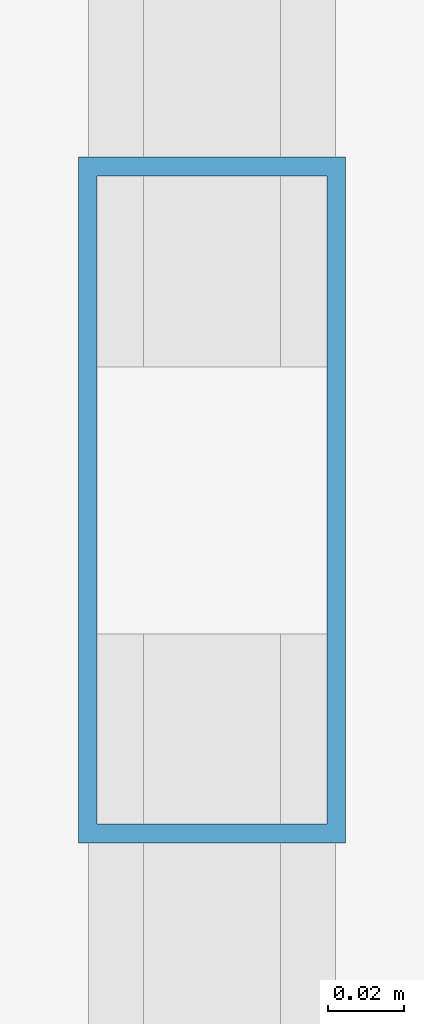
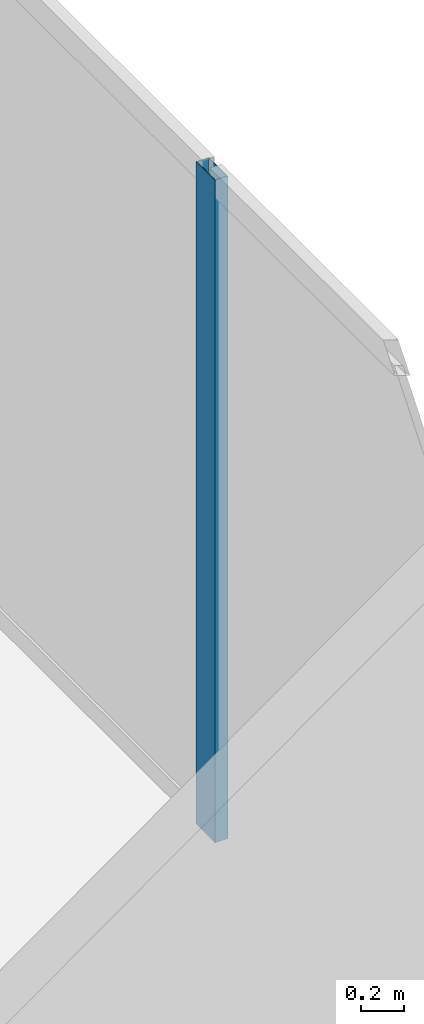
# One storey, part 24 of 33: 1 member, 1 element without a shape of its own.
"""IFC4 building model written with IfcOpenShell, lengths in metres."""

from ifc_helpers import new_model, si_unit, direction, frame, origin, origin_2d, place, context, subcontext, project, spatial, hollow_rectangle, extrude, source, transform, mapped, material, layer, layer_set, material_profile, profile_set, type_object, type_shapes, element, aggregate, save


model = new_model("IFC4")

# Units and contexts
model_context = context("Model", 3, precision=1e-05, world=origin(), true_north=direction((0.0, 1.0)))
body_context = subcontext(model_context, "Body", "Model", "MODEL_VIEW")
ifc_project = project(units=[si_unit("LENGTHUNIT", "METRE"), si_unit("AREAUNIT", "SQUARE_METRE"), si_unit("VOLUMEUNIT", "CUBIC_METRE"), si_unit("PLANEANGLEUNIT", "RADIAN"), si_unit("MASSUNIT", "GRAM", prefix="KILO")], contexts=[model_context])

# Site, building, storey
site_placement = place(None, origin())
site = spatial("IfcSite", under=ifc_project, at=site_placement, CompositionType="ELEMENT")
building_placement = place(site_placement, origin())
building = spatial("IfcBuilding", under=site, at=building_placement, Name="Haelvirn Gate Laboratories", CompositionType="ELEMENT")
storey_placement = place(building_placement, frame((0.0, 0.0, 238.300048828125)))
storey = spatial("IfcBuildingStorey", under=building, at=storey_placement, Name="L57", CompositionType="ELEMENT", Elevation=238.300048828125)

# Curtain wall, member
ifc_material_1 = material(Name="Anodised bronze unitised aluminium & triple low-E glass", Category="aluminium")
ifc_layer = layer(ifc_material_1, 0.176025390625, Name="CW-SYS-4")
ifc_layer_set = layer_set([ifc_layer], Name="Anodised bronze unitised aluminium & triple low-E glass")
curtain_wall_type = type_object("IfcCurtainWallType", Name="CW-SYS-4", PredefinedType="NOTDEFINED", material=ifc_layer_set)
curtain_wall_placement = place(storey_placement, origin())
curtain_wall = element("IfcCurtainWall", 1, at=curtain_wall_placement, inside=storey, type_object=curtain_wall_type, Name="L57 Unitised Curtain Wall CW-L57-P0-E07", PredefinedType="NOTDEFINED")
ifc_material_2 = material(Name="Extruded aluminium 6063-T6 (anodised bronze)", Category="aluminium")
ifc_material_profile = material_profile(ifc_material_2, hollow_rectangle(XDim=0.070068359375, YDim=0.179931640625, WallThickness=0.0048828125, at=origin_2d()), Name="CWM-180x70x5")
ifc_profile_set = profile_set([ifc_material_profile], Name="Extruded aluminium 6063-T6 (anodised bronze)")
member_type = type_object("IfcMemberType", Name="CWM-T180", PredefinedType="MULLION", material=ifc_profile_set)
shared_shape = source(origin(), body_context, "Body", "SweptSolid", [
    extrude(hollow_rectangle(XDim=0.070068359375, YDim=0.179931640625, WallThickness=0.0048828125, at=origin_2d()), origin(), (0.0, 0.0, 1.0), 3.800048828125),
])
type_shapes(member_type, [shared_shape])
member_placement = place(storey_placement, frame((70.699951171875, 24.300048828125, 0.0), z_axis=(0.0, 0.0, 1.0), x_axis=(-1.0, 0.0, 0.0)))
member = element("IfcMember", 2, at=member_placement, type_object=member_type, Name="CW4 mullion 2", PredefinedType="MULLION", context=body_context, shape_type="MappedRepresentation", body=[
    mapped(shared_shape, transform((0.0, 0.0, 0.0), scale=1.0)),
])
aggregate(curtain_wall, [member])

save(model, "model.ifc")
